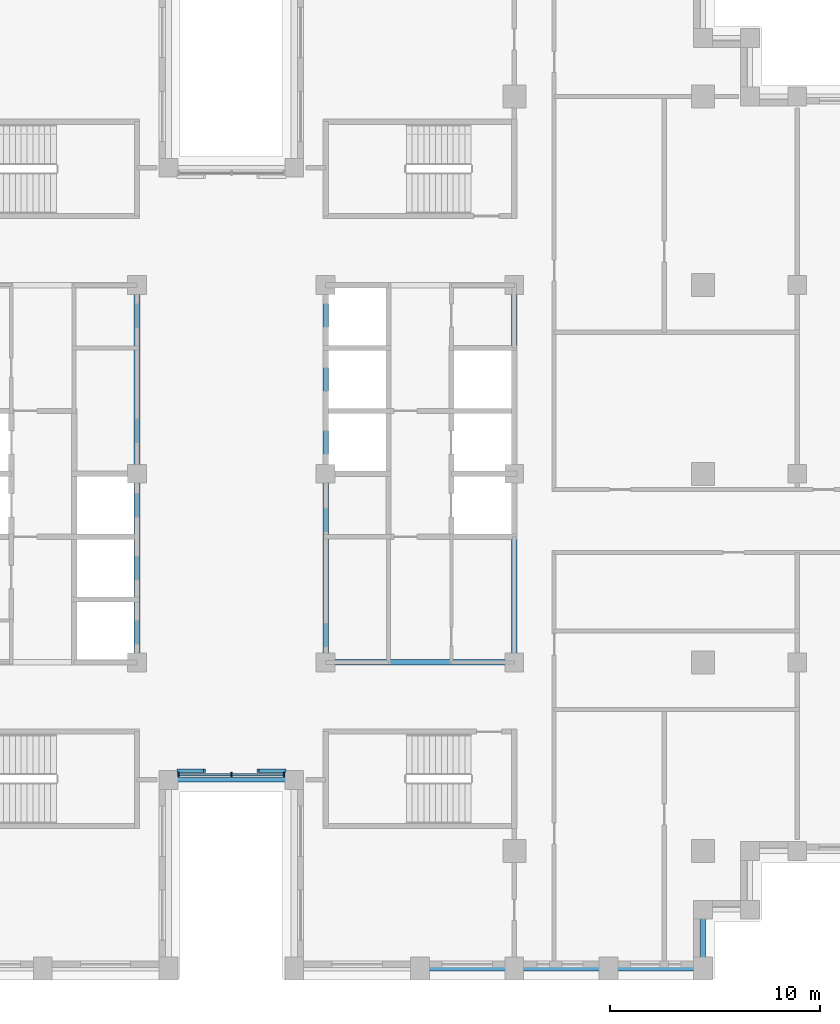
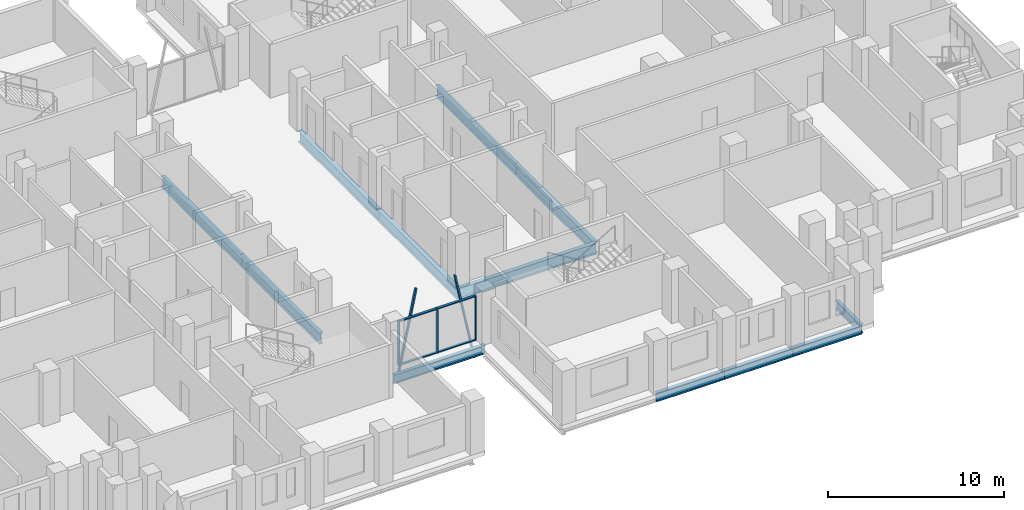
# One storey, part 2 of 16: 12 beams, 9 members, 1 element without a shape of its own.
"""IFC4 building model written with IfcOpenShell, lengths in metres."""

from ifc_helpers import new_model, si_unit, direction, frame, origin, origin_2d, place, context, subcontext, project, spatial, rectangle, i_section, extrude, material, layer, layer_set, material_profile, profile_set, type_object, element, aggregate, save


model = new_model("IFC4")

# Units and contexts
model_context = context("Model", 3, precision=1e-05, world=origin(), true_north=direction((0.0, 1.0)))
body_context = subcontext(model_context, "Body", "Model", "MODEL_VIEW")
ifc_project = project(units=[si_unit("LENGTHUNIT", "METRE"), si_unit("AREAUNIT", "SQUARE_METRE"), si_unit("VOLUMEUNIT", "CUBIC_METRE"), si_unit("PLANEANGLEUNIT", "RADIAN"), si_unit("MASSUNIT", "GRAM", prefix="KILO")], contexts=[model_context])

# Site, building, storey
site_placement = place(None, origin())
site = spatial("IfcSite", under=ifc_project, at=site_placement, CompositionType="ELEMENT")
building_placement = place(site_placement, origin())
building = spatial("IfcBuilding", under=site, at=building_placement, Name="Corbelhall Arena Tower", CompositionType="ELEMENT")
storey_placement = place(building_placement, frame((0.0, 0.0, 170.0)))
storey = spatial("IfcBuildingStorey", under=building, at=storey_placement, Name="L34", CompositionType="ELEMENT", Elevation=170.0)

# Curtain wall, members
ifc_material_1 = material(Name="Aluminium black anodised", Category="aluminium")
ifc_layer = layer(ifc_material_1, 0.199951171875)
ifc_layer_set = layer_set([ifc_layer], Name="EV-CW1 Slot back wall")
curtain_wall_type = type_object("IfcCurtainWallType", Name="EV-CW1 Slot back wall", PredefinedType="NOTDEFINED", material=ifc_layer_set)
curtain_wall_placement = place(storey_placement, origin())
curtain_wall = element("IfcCurtainWall", 1, at=curtain_wall_placement, inside=storey, type_object=curtain_wall_type, Name="Curtain wall CW1", PredefinedType="NOTDEFINED")
ifc_material_profile_1 = material_profile(ifc_material_1, rectangle(XDim=0.199951171875, YDim=0.074951171875, at=origin_2d()))
ifc_profile_set_1 = profile_set([ifc_material_profile_1], Name="Aluminium black anodised")
member_type_1 = type_object("IfcMemberType", Name="EV-CW1-MULLION", PredefinedType="MULLION", material=ifc_profile_set_1)
member_1_placement = place(storey_placement, frame((-2.512451171875, -14.35009765625, 0.0), z_axis=(0.0, 0.0, 1.0), x_axis=(0.0, 1.0, 0.0)))
member_1 = element("IfcMember", 2, at=member_1_placement, type_object=member_type_1, Name="CW1 mullion 1", PredefinedType="MULLION", context=body_context, shape_type="SweptSolid", body=[
    extrude(rectangle(XDim=0.199951171875, YDim=0.074951171875, at=origin_2d()), origin(), (0.0, 0.0, 1.0), 3.10009765625),
])
member_2_placement = place(storey_placement, frame((0.0, -14.35009765625, 0.0), z_axis=(0.0, 0.0, 1.0), x_axis=(0.0, 1.0, 0.0)))
member_2 = element("IfcMember", 3, at=member_2_placement, type_object=member_type_1, Name="CW1 mullion 2", PredefinedType="MULLION", context=body_context, shape_type="SweptSolid", body=[
    extrude(rectangle(XDim=0.199951171875, YDim=0.074951171875, at=origin_2d()), origin(), (0.0, 0.0, 1.0), 3.10009765625),
])
member_3_placement = place(storey_placement, frame((2.512451171875, -14.35009765625, 0.0), z_axis=(0.0, 0.0, 1.0), x_axis=(0.0, 1.0, 0.0)))
member_3 = element("IfcMember", 4, at=member_3_placement, type_object=member_type_1, Name="CW1 mullion 3", PredefinedType="MULLION", context=body_context, shape_type="SweptSolid", body=[
    extrude(rectangle(XDim=0.199951171875, YDim=0.074951171875, at=origin_2d()), origin(), (0.0, 0.0, 1.0), 3.10009765625),
])
ifc_material_profile_2 = material_profile(ifc_material_1, rectangle(XDim=0.14990234375, YDim=0.074951171875, at=origin_2d()))
ifc_profile_set_2 = profile_set([ifc_material_profile_2], Name="Aluminium black anodised")
member_type_2 = type_object("IfcMemberType", Name="EV-CW1-TRANSOM", PredefinedType="USERDEFINED", material=ifc_profile_set_2)
member_4_placement = place(storey_placement, frame((-2.47509765625, -14.35009765625, 0.03759765625), z_axis=(1.0, 0.0, 0.0), x_axis=(0.0, 1.0, 0.0)))
member_4 = element("IfcMember", 5, at=member_4_placement, type_object=member_type_2, Name="CW1 transom 1.1", ObjectType="transom", PredefinedType="USERDEFINED", context=body_context, shape_type="SweptSolid", body=[
    extrude(rectangle(XDim=0.14990234375, YDim=0.074951171875, at=origin_2d()), origin(), (0.0, 0.0, 1.0), 2.4375),
])
member_5_placement = place(storey_placement, frame((-2.47509765625, -14.35009765625, 3.0625), z_axis=(1.0, 0.0, 0.0), x_axis=(0.0, 1.0, 0.0)))
member_5 = element("IfcMember", 6, at=member_5_placement, type_object=member_type_2, Name="CW1 transom 1.2", ObjectType="transom", PredefinedType="USERDEFINED", context=body_context, shape_type="SweptSolid", body=[
    extrude(rectangle(XDim=0.14990234375, YDim=0.074951171875, at=origin_2d()), origin(), (0.0, 0.0, 1.0), 2.4375),
])
member_6_placement = place(storey_placement, frame((0.03759765625, -14.35009765625, 0.03759765625), z_axis=(1.0, 0.0, 0.0), x_axis=(0.0, 1.0, 0.0)))
member_6 = element("IfcMember", 7, at=member_6_placement, type_object=member_type_2, Name="CW1 transom 2.1", ObjectType="transom", PredefinedType="USERDEFINED", context=body_context, shape_type="SweptSolid", body=[
    extrude(rectangle(XDim=0.14990234375, YDim=0.074951171875, at=origin_2d()), origin(), (0.0, 0.0, 1.0), 2.4375),
])
member_7_placement = place(storey_placement, frame((0.03759765625, -14.35009765625, 3.0625), z_axis=(1.0, 0.0, 0.0), x_axis=(0.0, 1.0, 0.0)))
member_7 = element("IfcMember", 8, at=member_7_placement, type_object=member_type_2, Name="CW1 transom 2.2", ObjectType="transom", PredefinedType="USERDEFINED", context=body_context, shape_type="SweptSolid", body=[
    extrude(rectangle(XDim=0.14990234375, YDim=0.074951171875, at=origin_2d()), origin(), (0.0, 0.0, 1.0), 2.4375),
])
aggregate(curtain_wall, [member_1, member_2, member_3, member_4, member_5, member_6, member_7])

# Members
ifc_material_profile_3 = material_profile(ifc_material_1, rectangle(XDim=0.159912109375, YDim=0.10009765625, at=origin_2d()))
ifc_profile_set_3 = profile_set([ifc_material_profile_3], Name="Aluminium black anodised")
member_type_3 = type_object("IfcMemberType", Name="EV-TR1 Tracery bar", PredefinedType="USERDEFINED", material=ifc_profile_set_3)
for number, where, z_axis, x_axis, name in (
    (9, (-2.550048828125, -14.169921875, -1.307373046875), (0.204144671158, 0.0, 0.978940730197), (0.0, 1.0, 0.0), "Tracery bar"),
    (10, (1.27490234375, -14.169921875, 4.807373046875), (0.204144671158, 0.0, -0.978940730197), (0.0, 1.0, 0.0), "Tracery bar"),
):
    element("IfcMember", number, at=place(storey_placement, frame(where, z_axis=z_axis, x_axis=x_axis)), inside=storey, type_object=member_type_3, Name=name, ObjectType="TRACERY", PredefinedType="USERDEFINED", context=body_context, shape_type="SweptSolid", body=[
        extrude(rectangle(XDim=0.159912109375, YDim=0.10009765625, at=origin_2d()), origin(), (0.0, 0.0, 1.0), 6.246337890625),
    ])

# Beams
ifc_material_2 = material(Name="Steel ASTM A992 Gr50", Category="steel")
ifc_material_profile_4 = material_profile(ifc_material_2, i_section(OverallWidth=0.2666015625, OverallDepth=0.761962890625, WebThickness=0.014404296875, FlangeThickness=0.021484375, at=origin_2d()))
ifc_profile_set_4 = profile_set([ifc_material_profile_4], Name="Steel ASTM A992 Gr50")
beam_type_1 = type_object("IfcBeamType", Name="ST-BEAM-W30x116", PredefinedType="BEAM", material=ifc_profile_set_4)
for number, where, z_axis, x_axis, name in (
    (11, (-4.5, -9.0, -0.680908203125), (0.0, 1.0, 0.0), (-1.0, 0.0, 0.0), "Beam CEW 3"),
    (12, (-4.5, 0.0, -0.680908203125), (0.0, 1.0, 0.0), (-1.0, 0.0, 0.0), "Beam CEW 4"),
    (13, (4.5, -9.0, -0.680908203125), (0.0, 1.0, 0.0), (-1.0, 0.0, 0.0), "Beam CEE 7"),
    (14, (4.5, 0.0, -0.680908203125), (0.0, 1.0, 0.0), (-1.0, 0.0, 0.0), "Beam CEE 8"),
    (15, (13.5, -9.0, -0.680908203125), (0.0, 1.0, 0.0), (-1.0, 0.0, 0.0), "Beam CEE 9"),
    (16, (13.5, 0.0, -0.680908203125), (0.0, 1.0, 0.0), (-1.0, 0.0, 0.0), "Beam CEE 10"),
    (17, (4.5, -9.0, -0.680908203125), (1.0, 0.0, 0.0), (0.0, 1.0, 0.0), "Beam CEE 11"),
):
    element("IfcBeam", number, at=place(storey_placement, frame(where, z_axis=z_axis, x_axis=x_axis)), inside=storey, type_object=beam_type_1, Name=name, PredefinedType="BEAM", context=body_context, shape_type="SweptSolid", body=[
        extrude(i_section(OverallWidth=0.2666015625, OverallDepth=0.761962890625, WebThickness=0.014404296875, FlangeThickness=0.021484375, at=origin_2d()), origin(), (0.0, 0.0, 1.0), 9.0),
    ])
ifc_material_profile_5 = material_profile(ifc_material_2, i_section(OverallWidth=0.22900390625, OverallDepth=0.612060546875, WebThickness=0.011962890625, FlangeThickness=0.01953125, at=origin_2d()))
ifc_profile_set_5 = profile_set([ifc_material_profile_5], Name="Steel ASTM A992 Gr50")
beam_type_2 = type_object("IfcBeamType", Name="ST-SPANDREL-W24x84", PredefinedType="SPANDREL", material=ifc_profile_set_5)
for number, where, z_axis, x_axis, name in (
    (18, (13.5, -23.60009765625, -0.60595703125), (-1.0, 0.0, 0.0), (0.0, -1.0, 0.0), "Beam SP 29"),
    (19, (18.0, -23.60009765625, -0.60595703125), (-1.0, 0.0, 0.0), (0.0, -1.0, 0.0), "Beam SP 30"),
    (20, (22.5, -23.60009765625, -0.60595703125), (-1.0, 0.0, 0.0), (0.0, -1.0, 0.0), "Beam SP 31"),
):
    element("IfcBeam", number, at=place(storey_placement, frame(where, z_axis=z_axis, x_axis=x_axis)), inside=storey, type_object=beam_type_2, Name=name, PredefinedType="SPANDREL", context=body_context, shape_type="SweptSolid", body=[
        extrude(i_section(OverallWidth=0.22900390625, OverallDepth=0.612060546875, WebThickness=0.011962890625, FlangeThickness=0.01953125, at=origin_2d()), origin(), (0.0, 0.0, 1.0), 4.5),
    ])
beam_1_placement = place(storey_placement, frame((3.0, -14.60009765625, -0.60595703125), z_axis=(-1.0, 0.0, 0.0), x_axis=(0.0, -1.0, 0.0)))
element("IfcBeam", 21, at=beam_1_placement, inside=storey, type_object=beam_type_2, Name="Beam SP 41", PredefinedType="SPANDREL", context=body_context, shape_type="SweptSolid", body=[
    extrude(i_section(OverallWidth=0.22900390625, OverallDepth=0.612060546875, WebThickness=0.011962890625, FlangeThickness=0.01953125, at=origin_2d()), origin(), (0.0, 0.0, 1.0), 6.0),
])
beam_2_placement = place(storey_placement, frame((22.5, -20.800048828125, -0.60595703125), z_axis=(0.0, -1.0, 0.0), x_axis=(1.0, 0.0, 0.0)))
element("IfcBeam", 22, at=beam_2_placement, inside=storey, type_object=beam_type_2, Name="Beam SP 49", PredefinedType="SPANDREL", context=body_context, shape_type="SweptSolid", body=[
    extrude(i_section(OverallWidth=0.22900390625, OverallDepth=0.612060546875, WebThickness=0.011962890625, FlangeThickness=0.01953125, at=origin_2d()), origin(), (0.0, 0.0, 1.0), 2.800048828125),
])

save(model, "model.ifc")
